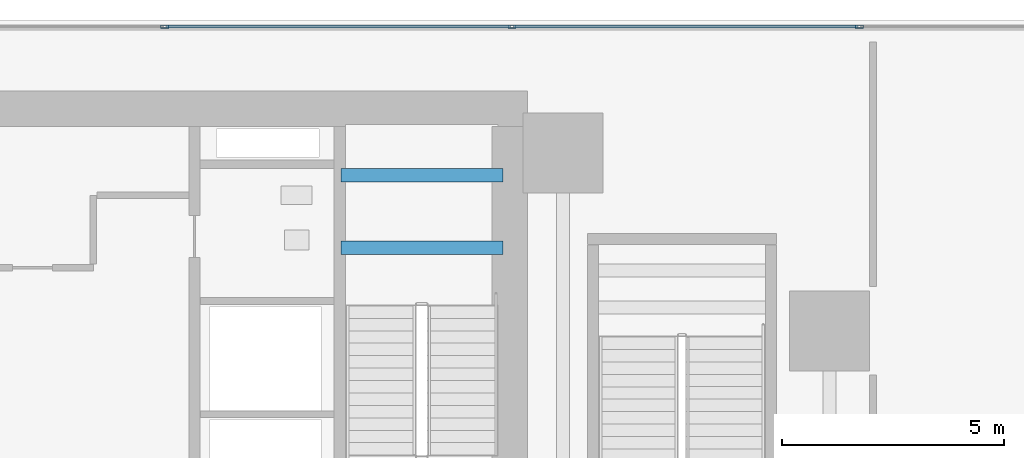
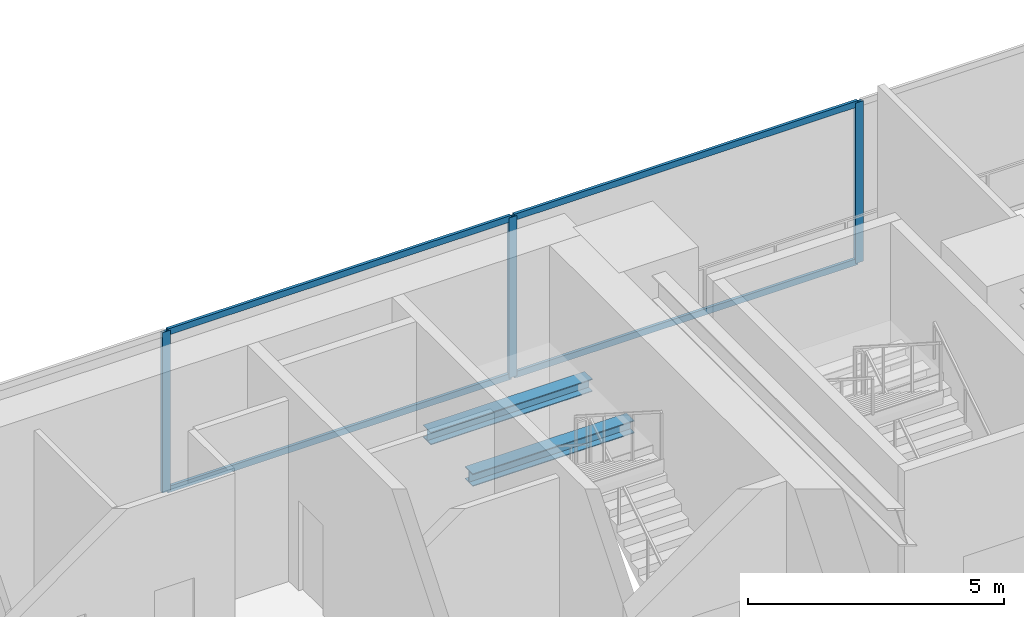
# One storey, part 5 of 15: 7 members, 2 beams, 1 element without a shape of its own.
"""IFC4 building model written with IfcOpenShell, lengths in metres."""

from ifc_helpers import new_model, si_unit, direction, frame, origin, origin_2d, place, context, subcontext, project, spatial, hollow_rectangle, i_section, extrude, source, transform, mapped, material, layer, layer_set, material_profile, profile_set, type_object, element, aggregate, save


model = new_model("IFC4")

# Units and contexts
model_context = context("Model", 3, precision=1e-05, world=origin(), true_north=direction((0.0, 1.0)))
body_context = subcontext(model_context, "Body", "Model", "MODEL_VIEW")
ifc_project = project(units=[si_unit("LENGTHUNIT", "METRE"), si_unit("AREAUNIT", "SQUARE_METRE"), si_unit("VOLUMEUNIT", "CUBIC_METRE"), si_unit("PLANEANGLEUNIT", "RADIAN"), si_unit("MASSUNIT", "GRAM", prefix="KILO")], contexts=[model_context])

# Site, building, storey
site_placement = place(None, origin())
site = spatial("IfcSite", under=ifc_project, at=site_placement, CompositionType="ELEMENT")
building_placement = place(site_placement, origin())
building = spatial("IfcBuilding", under=site, at=building_placement, Name="Sumidabori Civic Tower", CompositionType="ELEMENT")
storey_placement = place(building_placement, frame((0.0, 0.0, 14.300048828125)))
storey = spatial("IfcBuildingStorey", under=building, at=storey_placement, Name="L03", CompositionType="ELEMENT", Elevation=14.300048828125)

# Beams
ifc_material_1 = material(Name="Steel SN490", Category="steel")
ifc_material_profile_1 = material_profile(ifc_material_1, i_section(OverallWidth=0.300048828125, OverallDepth=0.300048828125, WebThickness=0.010986328125, FlangeThickness=0.01904296875, at=origin_2d()), Name="HE 300 B")
ifc_profile_set_1 = profile_set([ifc_material_profile_1], Name="Steel SN490")
beam_type = type_object("IfcBeamType", Name="BM-LDG-300", PredefinedType="BEAM", material=ifc_profile_set_1)
shared_shape_1 = source(origin(), body_context, "Body", "SweptSolid", [
    extrude(i_section(OverallWidth=0.300048828125, OverallDepth=0.300048828125, WebThickness=0.010986328125, FlangeThickness=0.01904296875, at=origin_2d()), origin(), (0.0, 0.0, 1.0), 3.64990234375),
])
for number, where, z_axis, x_axis, name in (
    (1, (11.800048828125, 20.668701171875, 1.974853515625), (1.0, 0.0, 0.0), (0.0, 1.0, 0.0), "Stair ST-2 Landing Support Beam L03-1A"),
    (2, (11.800048828125, 22.3046875, 1.974853515625), (1.0, 0.0, 0.0), (0.0, 1.0, 0.0), "Stair ST-2 Landing Trimmer Beam L03-1B"),
):
    element("IfcBeam", number, at=place(storey_placement, frame(where, z_axis=z_axis, x_axis=x_axis)), inside=storey, type_object=beam_type, Name=name, PredefinedType="BEAM", context=body_context, shape_type="MappedRepresentation", body=[
        mapped(shared_shape_1, transform((0.0, 0.0, 0.0), x_axis=(1.0, 0.0, 0.0), y_axis=(0.0, 1.0, 0.0), z_axis=(0.0, 0.0, 1.0), scale=1.0)),
    ])

# Curtain wall, members
ifc_material_2 = material(Name="Anodised Bronze Aluminium AW-6063-T6", Category="aluminium")
ifc_layer = layer(ifc_material_2, 0.179931640625, Name="Anodised Bronze Aluminium AW-6063-T6")
ifc_layer_set = layer_set([ifc_layer], Name="Anodised Bronze Aluminium AW-6063-T6")
curtain_wall_type = type_object("IfcCurtainWallType", Name="CW-SYS-1", PredefinedType="NOTDEFINED", material=ifc_layer_set)
curtain_wall_placement = place(storey_placement, origin())
curtain_wall = element("IfcCurtainWall", 3, at=curtain_wall_placement, inside=storey, type_object=curtain_wall_type, Name="Curtain Wall CW:L03:NORTH", PredefinedType="NOTDEFINED")
ifc_material_profile_2 = material_profile(ifc_material_2, hollow_rectangle(XDim=0.070068359375, YDim=0.179931640625, WallThickness=0.006103515625, at=origin_2d()), Name="ALU MULLION 180x70")
ifc_profile_set_2 = profile_set([ifc_material_profile_2], Name="Anodised Bronze Aluminium AW-6063-T6")
member_type_1 = type_object("IfcMemberType", Name="CW-MUL-180", PredefinedType="MULLION", material=ifc_profile_set_2)
shared_shape_2 = source(origin(), body_context, "Body", "SweptSolid", [
    extrude(hollow_rectangle(XDim=0.070068359375, YDim=0.179931640625, WallThickness=0.006103515625, at=origin_2d()), origin(), (0.0, 0.0, 1.0), 3.829833984375),
])
member_1_placement = place(storey_placement, frame((7.824951171875, 25.64990234375, 0.0), z_axis=(0.0, 0.0, 1.0), x_axis=(0.0, 1.0, 0.0)))
member_1 = element("IfcMember", 4, at=member_1_placement, type_object=member_type_1, Name="CW-1 mullion 6", PredefinedType="MULLION", context=body_context, shape_type="MappedRepresentation", body=[
    mapped(shared_shape_2, transform((0.0, 0.0, 0.0), x_axis=(1.0, 0.0, 0.0), y_axis=(0.0, 1.0, 0.0), z_axis=(0.0, 0.0, 1.0), scale=1.0)),
])
member_2_placement = place(storey_placement, frame((15.64990234375, 25.64990234375, 0.0), z_axis=(0.0, 0.0, 1.0), x_axis=(0.0, 1.0, 0.0)))
member_2 = element("IfcMember", 5, at=member_2_placement, type_object=member_type_1, Name="CW-1 mullion 7", PredefinedType="MULLION", context=body_context, shape_type="MappedRepresentation", body=[
    mapped(shared_shape_2, transform((0.0, 0.0, 0.0), x_axis=(1.0, 0.0, 0.0), y_axis=(0.0, 1.0, 0.0), z_axis=(0.0, 0.0, 1.0), scale=1.0)),
])
member_3_placement = place(storey_placement, frame((23.47509765625, 25.64990234375, 0.0), z_axis=(0.0, 0.0, 1.0), x_axis=(0.0, 1.0, 0.0)))
member_3 = element("IfcMember", 6, at=member_3_placement, type_object=member_type_1, Name="CW-1 mullion 8", PredefinedType="MULLION", context=body_context, shape_type="MappedRepresentation", body=[
    mapped(shared_shape_2, transform((0.0, 0.0, 0.0), x_axis=(1.0, 0.0, 0.0), y_axis=(0.0, 1.0, 0.0), z_axis=(0.0, 0.0, 1.0), scale=1.0)),
])
ifc_material_profile_3 = material_profile(ifc_material_2, hollow_rectangle(XDim=0.06494140625, YDim=0.14990234375, WallThickness=0.0048828125, at=origin_2d()), Name="ALU TRANSOM 150x65")
ifc_profile_set_3 = profile_set([ifc_material_profile_3], Name="Anodised Bronze Aluminium AW-6063-T6")
member_type_2 = type_object("IfcMemberType", Name="CW-TRN-150", PredefinedType="USERDEFINED", material=ifc_profile_set_3)
shared_shape_3 = source(origin(), body_context, "Body", "SweptSolid", [
    extrude(hollow_rectangle(XDim=0.06494140625, YDim=0.14990234375, WallThickness=0.0048828125, at=origin_2d()), origin(), (0.0, 0.0, 1.0), 7.7548828125),
])
member_4_placement = place(storey_placement, frame((7.860107421875, 25.64990234375, 0.032470703125), z_axis=(1.0, 0.0, 0.0), x_axis=(0.0, 1.0, 0.0)))
member_4 = element("IfcMember", 7, at=member_4_placement, type_object=member_type_2, Name="CW-1 transom 6.1", ObjectType="TRANSOM", PredefinedType="USERDEFINED", context=body_context, shape_type="MappedRepresentation", body=[
    mapped(shared_shape_3, transform((0.0, 0.0, 0.0), x_axis=(1.0, 0.0, 0.0), y_axis=(0.0, 1.0, 0.0), z_axis=(0.0, 0.0, 1.0), scale=1.0)),
])
member_5_placement = place(storey_placement, frame((7.860107421875, 25.64990234375, 3.79736328125), z_axis=(1.0, 0.0, 0.0), x_axis=(0.0, 1.0, 0.0)))
member_5 = element("IfcMember", 8, at=member_5_placement, type_object=member_type_2, Name="CW-1 transom 6.2", ObjectType="TRANSOM", PredefinedType="USERDEFINED", context=body_context, shape_type="MappedRepresentation", body=[
    mapped(shared_shape_3, transform((0.0, 0.0, 0.0), x_axis=(1.0, 0.0, 0.0), y_axis=(0.0, 1.0, 0.0), z_axis=(0.0, 0.0, 1.0), scale=1.0)),
])
member_6_placement = place(storey_placement, frame((15.68505859375, 25.64990234375, 0.032470703125), z_axis=(1.0, 0.0, 0.0), x_axis=(0.0, 1.0, 0.0)))
member_6 = element("IfcMember", 9, at=member_6_placement, type_object=member_type_2, Name="CW-1 transom 7.1", ObjectType="TRANSOM", PredefinedType="USERDEFINED", context=body_context, shape_type="MappedRepresentation", body=[
    mapped(shared_shape_3, transform((0.0, 0.0, 0.0), x_axis=(1.0, 0.0, 0.0), y_axis=(0.0, 1.0, 0.0), z_axis=(0.0, 0.0, 1.0), scale=1.0)),
])
member_7_placement = place(storey_placement, frame((15.68505859375, 25.64990234375, 3.79736328125), z_axis=(1.0, 0.0, 0.0), x_axis=(0.0, 1.0, 0.0)))
member_7 = element("IfcMember", 10, at=member_7_placement, type_object=member_type_2, Name="CW-1 transom 7.2", ObjectType="TRANSOM", PredefinedType="USERDEFINED", context=body_context, shape_type="MappedRepresentation", body=[
    mapped(shared_shape_3, transform((0.0, 0.0, 0.0), x_axis=(1.0, 0.0, 0.0), y_axis=(0.0, 1.0, 0.0), z_axis=(0.0, 0.0, 1.0), scale=1.0)),
])
aggregate(curtain_wall, [member_1, member_2, member_3, member_4, member_5, member_6, member_7])

save(model, "model.ifc")
